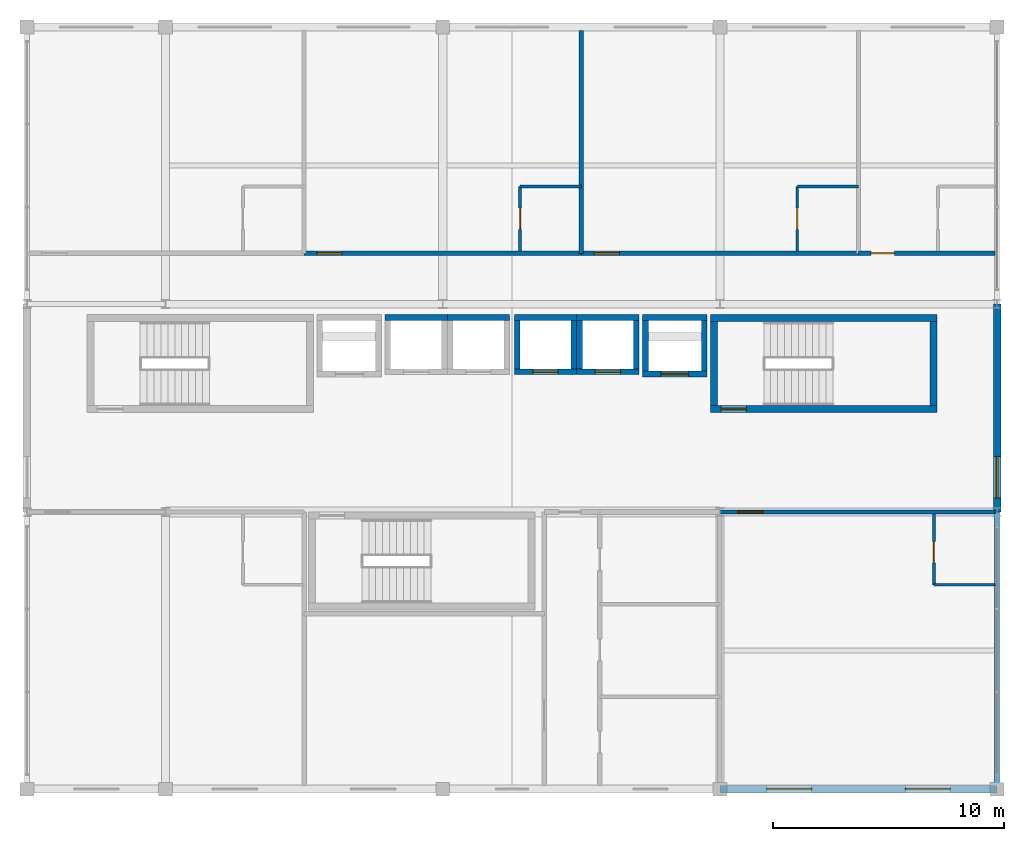
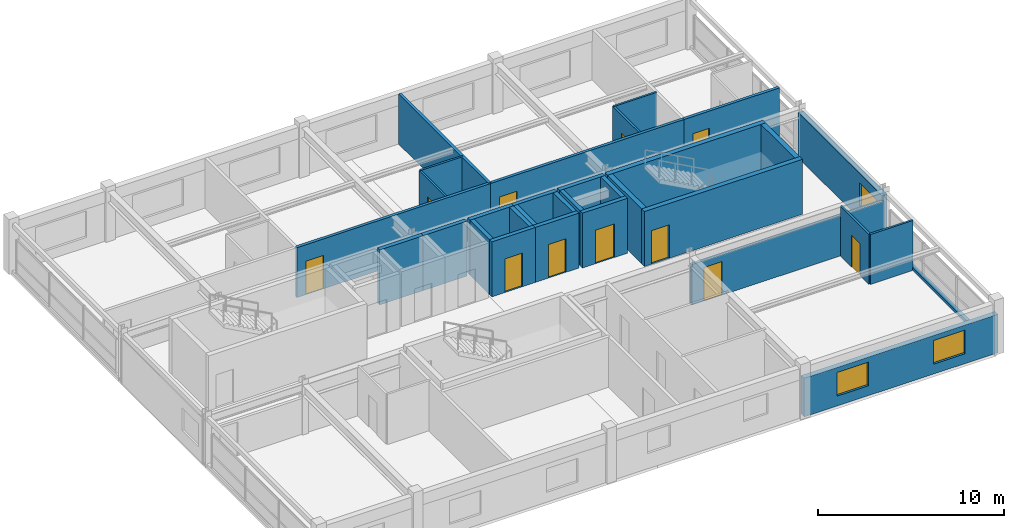
# One storey, part 20 of 22: 32 walls, 11 doors, 3 windows, 14 openings.
"""IFC4 building model written with IfcOpenShell, lengths in metres."""

from ifc_helpers import new_model, si_unit, direction, frame, frame_2d, origin, place, context, subcontext, project, spatial, rectangle, extrude, material, layer, layer_set, type_object, element, fill, save


model = new_model("IFC4")

# Units and contexts
model_context = context("Model", 3, precision=1e-05, world=origin(), true_north=direction((0.0, 1.0)))
body_context = subcontext(model_context, "Body", "Model", "MODEL_VIEW")
ifc_project = project(units=[si_unit("LENGTHUNIT", "METRE"), si_unit("AREAUNIT", "SQUARE_METRE"), si_unit("VOLUMEUNIT", "CUBIC_METRE"), si_unit("PLANEANGLEUNIT", "RADIAN"), si_unit("MASSUNIT", "GRAM", prefix="KILO")], contexts=[model_context])

# Site, building, storey
site_placement = place(None, origin())
site = spatial("IfcSite", under=ifc_project, at=site_placement, CompositionType="ELEMENT")
building_placement = place(site_placement, origin())
building = spatial("IfcBuilding", under=site, at=building_placement, Name="Kaldorvane Square Convention Centre", CompositionType="ELEMENT")
storey_placement = place(building_placement, frame((0.0, 0.0, 67.19999694824219)))
storey = spatial("IfcBuildingStorey", under=building, at=storey_placement, Name="L16", CompositionType="ELEMENT", Elevation=67.19999694824219)

# Wall, opening, door
ifc_material_1 = material(Name="Fire-Rated Gypsum Board on Acoustic Steel Studs", Category="steel")
ifc_layer_1 = layer(ifc_material_1, 0.125)
ifc_layer_set_1 = layer_set([ifc_layer_1], Name="Fire-Rated Gypsum Board on Acoustic Steel Studs")
wall_type_1 = type_object("IfcWallType", Name="WL-BATH-125", PredefinedType="PARTITIONING", material=ifc_layer_set_1)
wall_1_placement = place(storey_placement, frame((57.350006103515625, 107.28999328613281, 0.0), z_axis=(0.0, 0.0, 1.0), x_axis=(0.0, 1.0, 0.0)))
wall_1 = element("IfcWall", 1, at=wall_1_placement, inside=storey, type_object=wall_type_1, Name="En-Suite 1602 West Wall", PredefinedType="PARTITIONING", context=body_context, shape_type="SweptSolid", body=[
    extrude(rectangle(XDim=2.8100128173828125, YDim=0.125, at=frame_2d((1.404998779296875, 0.0))), origin(), (0.0, 0.0, 1.0), 3.279998779296875),
])
opening_1_placement = place(wall_1_placement, frame((0.9499969482421875, 0.0, 0.0)))
opening_1 = element("IfcOpeningElement", 2, at=opening_1_placement, cuts=wall_1, Name="Opening ID-12", PredefinedType="OPENING", context=body_context, shape_type="SweptSolid", body=[
    extrude(rectangle(XDim=0.9199981689453125, YDim=2.100006103515625, at=frame_2d((0.459991455078125, 1.0500030517578125))), frame((0.0, 0.0774993896484375, 0.0), z_axis=(0.0, -1.0, 0.0), x_axis=(1.0, 0.0, 0.0)), (0.0, 0.0, 1.0), 0.154998779296875),
])
ifc_material_2 = material(Name="Architectural Solid-Core White Oak")
door_type_1 = type_object("IfcDoorType", Name="DR-BATH-0920X2100", OperationType="SINGLE_SWING_RIGHT", PredefinedType="DOOR", material=ifc_material_2)
door_1_placement = place(opening_1_placement, origin())
door_1 = element("IfcDoor", 3, at=door_1_placement, inside=storey, type_object=door_type_1, Name="En-Suite Bathroom 1602 Door", OperationType="SINGLE_SWING_RIGHT", OverallHeight=2.100006103515625, OverallWidth=0.9199981689453125, PredefinedType="DOOR", context=body_context, shape_type="SweptSolid", body=[
    extrude(rectangle(XDim=0.9199981689453125, YDim=2.100006103515625, at=frame_2d((0.459991455078125, 1.0500030517578125))), frame((0.0, 0.024993896484375, 0.0), z_axis=(0.0, -1.0, 0.0), x_axis=(1.0, 0.0, 0.0)), (0.0, 0.0, 1.0), 0.0500030517578125),
])
fill(opening_1, door_1)

# Wall
wall_2_placement = place(storey_placement, frame((57.350006103515625, 110.10000610351562, 0.0), z_axis=(0.0, 0.0, 1.0), x_axis=(1.0, 0.0, 0.0)))
element("IfcWall", 4, at=wall_2_placement, inside=storey, type_object=wall_type_1, Name="En-Suite 1602 North Wall", PredefinedType="PARTITIONING", context=body_context, shape_type="SweptSolid", body=[
    extrude(rectangle(XDim=2.649993896484375, YDim=0.125, at=frame_2d((1.3249969482421875, 0.0))), origin(), (0.0, 0.0, 1.0), 3.279998779296875),
])

# Wall, opening, door
wall_3_placement = place(storey_placement, frame((69.35000610351562, 107.28999328613281, 0.0), z_axis=(0.0, 0.0, 1.0), x_axis=(0.0, 1.0, 0.0)))
wall_3 = element("IfcWall", 5, at=wall_3_placement, inside=storey, type_object=wall_type_1, Name="En-Suite 1603 West Wall", PredefinedType="PARTITIONING", context=body_context, shape_type="SweptSolid", body=[
    extrude(rectangle(XDim=2.8100128173828125, YDim=0.125, at=frame_2d((1.404998779296875, 0.0))), origin(), (0.0, 0.0, 1.0), 3.279998779296875),
])
opening_2_placement = place(wall_3_placement, frame((0.9499969482421875, 0.0, 0.0)))
opening_2 = element("IfcOpeningElement", 6, at=opening_2_placement, cuts=wall_3, Name="Opening ID-12", PredefinedType="OPENING", context=body_context, shape_type="SweptSolid", body=[
    extrude(rectangle(XDim=0.9199981689453125, YDim=2.100006103515625, at=frame_2d((0.459991455078125, 1.0500030517578125))), frame((0.0, 0.0774993896484375, 0.0), z_axis=(0.0, -1.0, 0.0), x_axis=(1.0, 0.0, 0.0)), (0.0, 0.0, 1.0), 0.154998779296875),
])
door_2_placement = place(opening_2_placement, origin())
door_2 = element("IfcDoor", 7, at=door_2_placement, inside=storey, type_object=door_type_1, Name="En-Suite Bathroom 1603 Door", OperationType="SINGLE_SWING_RIGHT", OverallHeight=2.100006103515625, OverallWidth=0.9199981689453125, PredefinedType="DOOR", context=body_context, shape_type="SweptSolid", body=[
    extrude(rectangle(XDim=0.9199981689453125, YDim=2.100006103515625, at=frame_2d((0.459991455078125, 1.0500030517578125))), frame((0.0, 0.024993896484375, 0.0), z_axis=(0.0, -1.0, 0.0), x_axis=(1.0, 0.0, 0.0)), (0.0, 0.0, 1.0), 0.0500030517578125),
])
fill(opening_2, door_2)

# Wall
wall_4_placement = place(storey_placement, frame((69.35000610351562, 110.10000610351562, 0.0), z_axis=(0.0, 0.0, 1.0), x_axis=(1.0, 0.0, 0.0)))
element("IfcWall", 8, at=wall_4_placement, inside=storey, type_object=wall_type_1, Name="En-Suite 1603 North Wall", PredefinedType="PARTITIONING", context=body_context, shape_type="SweptSolid", body=[
    extrude(rectangle(XDim=2.649993896484375, YDim=0.125, at=frame_2d((1.3249969482421875, 0.0))), origin(), (0.0, 0.0, 1.0), 3.279998779296875),
])

# Wall, opening, door
wall_5_placement = place(storey_placement, frame((75.26499938964844, 92.85000610351562, 0.0), z_axis=(0.0, 0.0, 1.0), x_axis=(0.0, 1.0, 0.0)))
wall_5 = element("IfcWall", 9, at=wall_5_placement, inside=storey, type_object=wall_type_1, Name="En-Suite 1606 West Wall", PredefinedType="PARTITIONING", context=body_context, shape_type="SweptSolid", body=[
    extrude(rectangle(XDim=3.05999755859375, YDim=0.125, at=frame_2d((1.529998779296875, 0.0))), origin(), (0.0, 0.0, 1.0), 3.279998779296875),
])
opening_3_placement = place(wall_5_placement, frame((0.9499969482421875, 0.0, 0.0)))
opening_3 = element("IfcOpeningElement", 10, at=opening_3_placement, cuts=wall_5, Name="Opening ID-12", PredefinedType="OPENING", context=body_context, shape_type="SweptSolid", body=[
    extrude(rectangle(XDim=0.9199981689453125, YDim=2.100006103515625, at=frame_2d((0.459991455078125, 1.0500030517578125))), frame((0.0, 0.0774993896484375, 0.0), z_axis=(0.0, -1.0, 0.0), x_axis=(1.0, 0.0, 0.0)), (0.0, 0.0, 1.0), 0.154998779296875),
])
door_3_placement = place(opening_3_placement, origin())
door_3 = element("IfcDoor", 11, at=door_3_placement, inside=storey, type_object=door_type_1, Name="En-Suite Bathroom 1606 Door", OperationType="SINGLE_SWING_RIGHT", OverallHeight=2.100006103515625, OverallWidth=0.9199981689453125, PredefinedType="DOOR", context=body_context, shape_type="SweptSolid", body=[
    extrude(rectangle(XDim=0.9199981689453125, YDim=2.100006103515625, at=frame_2d((0.459991455078125, 1.0500030517578125))), frame((0.0, 0.024993896484375, 0.0), z_axis=(0.0, -1.0, 0.0), x_axis=(1.0, 0.0, 0.0)), (0.0, 0.0, 1.0), 0.0500030517578125),
])
fill(opening_3, door_3)

# Wall
wall_6_placement = place(storey_placement, frame((75.26499938964844, 92.85000610351562, 0.0), z_axis=(0.0, 0.0, 1.0), x_axis=(1.0, 0.0, 0.0)))
element("IfcWall", 12, at=wall_6_placement, inside=storey, type_object=wall_type_1, Name="En-Suite 1606 South Wall", PredefinedType="PARTITIONING", context=body_context, shape_type="SweptSolid", body=[
    extrude(rectangle(XDim=2.649993896484375, YDim=0.125, at=frame_2d((1.3249969482421875, 0.0))), origin(), (0.0, 0.0, 1.0), 3.279998779296875),
])

# Wall, openings, windows
ifc_material_3 = material(Name="Concrete f'c = 35 MPa (Normalweight)", Category="concrete")
ifc_layer_2 = layer(ifc_material_3, 0.32000732421875)
ifc_layer_set_2 = layer_set([ifc_layer_2], Name="Concrete f'c = 35 MPa (Normalweight)")
wall_type_2 = type_object("IfcWallType", Name="WL-EXT-320", PredefinedType="STANDARD", material=ifc_layer_set_2)
wall_7_placement = place(storey_placement, frame((66.0, 84.0, 0.0), z_axis=(0.0, 0.0, 1.0), x_axis=(1.0, 0.0, 0.0)))
wall_7 = element("IfcWall", 13, at=wall_7_placement, inside=storey, type_object=wall_type_2, Name="Hotel S Brutalist Facade Wall (L16)", PredefinedType="STANDARD", context=body_context, shape_type="SweptSolid", body=[
    extrude(rectangle(XDim=12.0, YDim=0.32000732421875, at=frame_2d((6.0, 0.0))), origin(), (0.0, 0.0, 1.0), 2.5260009765625),
])
opening_4_placement = place(wall_7_placement, frame((2.024993896484375, 0.0, 0.649993896484375)))
opening_4 = element("IfcOpeningElement", 14, at=opening_4_placement, cuts=wall_7, Name="Opening W-12", PredefinedType="OPENING", context=body_context, shape_type="SweptSolid", body=[
    extrude(rectangle(XDim=1.9499969482421875, YDim=1.5500030517578125, at=frame_2d((0.975006103515625, 0.774993896484375))), frame((0.0, 0.1750030517578125, 0.0), z_axis=(0.0, -1.0, 0.0), x_axis=(1.0, 0.0, 0.0)), (0.0, 0.0, 1.0), 0.350006103515625),
])
opening_5_placement = place(wall_7_placement, frame((8.024993896484375, 0.0, 0.649993896484375)))
opening_5 = element("IfcOpeningElement", 15, at=opening_5_placement, cuts=wall_7, Name="Opening W-12", PredefinedType="OPENING", context=body_context, shape_type="SweptSolid", body=[
    extrude(rectangle(XDim=1.9499969482421875, YDim=1.5500030517578125, at=frame_2d((0.975006103515625, 0.774993896484375))), frame((0.0, 0.1750030517578125, 0.0), z_axis=(0.0, -1.0, 0.0), x_axis=(1.0, 0.0, 0.0)), (0.0, 0.0, 1.0), 0.350006103515625),
])
ifc_material_4 = material(Name="Anodized Aluminum and Low-E Insulated Glazing", Category="aluminium")
window_type_1 = type_object("IfcWindowType", Name="WN-HTL-1950X1550", PartitioningType="DOUBLE_PANEL_VERTICAL", PredefinedType="WINDOW", material=ifc_material_4)
window_1_placement = place(opening_4_placement, origin())
window_1 = element("IfcWindow", 16, at=window_1_placement, inside=storey, type_object=window_type_1, Name="Hotel S Window (L16)", OverallHeight=1.5500030517578125, OverallWidth=1.9499969482421875, PartitioningType="DOUBLE_PANEL_VERTICAL", PredefinedType="WINDOW", context=body_context, shape_type="SweptSolid", body=[
    extrude(rectangle(XDim=1.9499969482421875, YDim=1.5500030517578125, at=frame_2d((0.975006103515625, 0.774993896484375))), frame((0.0, 0.029998779296875, 0.0), z_axis=(0.0, -1.0, 0.0), x_axis=(1.0, 0.0, 0.0)), (0.0, 0.0, 1.0), 0.05999755859375),
])
fill(opening_4, window_1)
window_2_placement = place(opening_5_placement, origin())
window_2 = element("IfcWindow", 17, at=window_2_placement, inside=storey, type_object=window_type_1, Name="Hotel S Window (L16)", OverallHeight=1.5500030517578125, OverallWidth=1.9499969482421875, PartitioningType="DOUBLE_PANEL_VERTICAL", PredefinedType="WINDOW", context=body_context, shape_type="SweptSolid", body=[
    extrude(rectangle(XDim=1.9499969482421875, YDim=1.5500030517578125, at=frame_2d((0.975006103515625, 0.774993896484375))), frame((0.0, 0.029998779296875, 0.0), z_axis=(0.0, -1.0, 0.0), x_axis=(1.0, 0.0, 0.0)), (0.0, 0.0, 1.0), 0.05999755859375),
])
fill(opening_5, window_2)

# Wall, opening, window
wall_8_placement = place(storey_placement, frame((78.0, 96.0, 0.0), z_axis=(0.0, 0.0, 1.0), x_axis=(0.0, 1.0, 0.0)))
wall_8 = element("IfcWall", 18, at=wall_8_placement, inside=storey, type_object=wall_type_2, Name="Hotel E End Wall (L16)", PredefinedType="STANDARD", context=body_context, shape_type="SweptSolid", body=[
    extrude(rectangle(XDim=9.0, YDim=0.32000732421875, at=frame_2d((4.5, 0.0))), origin(), (0.0, 0.0, 1.0), 2.97100830078125),
])
opening_6_placement = place(wall_8_placement, frame((0.600006103515625, 0.0, 0.850006103515625)))
opening_6 = element("IfcOpeningElement", 19, at=opening_6_placement, cuts=wall_8, Name="Opening W-11", PredefinedType="OPENING", context=body_context, shape_type="SweptSolid", body=[
    extrude(rectangle(XDim=1.8000030517578125, YDim=1.5, at=frame_2d((0.899993896484375, 0.75))), frame((0.0, 0.1750030517578125, 0.0), z_axis=(0.0, -1.0, 0.0), x_axis=(1.0, 0.0, 0.0)), (0.0, 0.0, 1.0), 0.350006103515625),
])
window_type_2 = type_object("IfcWindowType", Name="WN-HTL-1800X1500", PartitioningType="SINGLE_PANEL", PredefinedType="WINDOW", material=ifc_material_4)
window_3_placement = place(opening_6_placement, origin())
window_3 = element("IfcWindow", 20, at=window_3_placement, inside=storey, type_object=window_type_2, Name="Hotel End Window E (L16)", OverallHeight=1.5, OverallWidth=1.8000030517578125, PartitioningType="SINGLE_PANEL", PredefinedType="WINDOW", context=body_context, shape_type="SweptSolid", body=[
    extrude(rectangle(XDim=1.8000030517578125, YDim=1.5, at=frame_2d((0.899993896484375, 0.75))), frame((0.0, 0.029998779296875, 0.0), z_axis=(0.0, -1.0, 0.0), x_axis=(1.0, 0.0, 0.0)), (0.0, 0.0, 1.0), 0.05999755859375),
])
fill(opening_6, window_3)

# Wall
ifc_layer_3 = layer(ifc_material_3, 0.220001220703125)
ifc_layer_set_3 = layer_set([ifc_layer_3], Name="Concrete f'c = 35 MPa (Normalweight)")
wall_type_3 = type_object("IfcWallType", Name="WL-PAR-220", PredefinedType="PARAPET", material=ifc_layer_set_3)
wall_9_placement = place(storey_placement, frame((78.0, 84.0, 0.0), z_axis=(0.0, 0.0, 1.0), x_axis=(0.0, 1.0, 0.0)))
element("IfcWall", 21, at=wall_9_placement, inside=storey, type_object=wall_type_3, Name="Hotel End Curtain-Wall Sill (L16)", PredefinedType="PARAPET", context=body_context, shape_type="SweptSolid", body=[
    extrude(rectangle(XDim=12.0, YDim=0.220001220703125, at=frame_2d((6.0, 0.0))), origin(), (0.0, 0.0, 1.0), 0.1999969482421875),
])

# Wall, opening, door
ifc_material_5 = material(Name="Concrete f'c = 55 MPa (Normalweight)", Category="concrete")
ifc_layer_4 = layer(ifc_material_5, 0.3000030517578125)
ifc_layer_set_4 = layer_set([ifc_layer_4], Name="Concrete f'c = 55 MPa (Normalweight)")
wall_type_4 = type_object("IfcWallType", Name="WL-SHAFT-300", PredefinedType="SHEAR", material=ifc_layer_set_4)
wall_10_placement = place(storey_placement, frame((65.60000610351562, 100.46000671386719, 0.0), z_axis=(0.0, 0.0, 1.0), x_axis=(1.0, 0.0, 0.0)))
wall_10 = element("IfcWall", 22, at=wall_10_placement, inside=storey, type_object=wall_type_4, Name="Core Enclosure Wall stair:ST-T2-S (L16)", PredefinedType="SHEAR", context=body_context, shape_type="SweptSolid", body=[
    extrude(rectangle(XDim=9.79998779296875, YDim=0.3000030517578125, at=frame_2d((4.899993896484375, 0.0))), origin(), (0.0, 0.0, 1.0), 3.600006103515625),
])
opening_7_placement = place(wall_10_placement, frame((0.4499969482421875, 0.0, 0.0)))
opening_7 = element("IfcOpeningElement", 23, at=opening_7_placement, cuts=wall_10, Name="Opening FD90-S1", PredefinedType="OPENING", context=body_context, shape_type="SweptSolid", body=[
    extrude(rectangle(XDim=1.100006103515625, YDim=2.1999969482421875, at=frame_2d((0.5500030517578125, 1.100006103515625))), frame((0.0, 0.165008544921875, 0.0), z_axis=(0.0, -1.0, 0.0), x_axis=(1.0, 0.0, 0.0)), (0.0, 0.0, 1.0), 0.3300018310546875),
])
ifc_material_6 = material(Name="Fire-Rated Hollow Metal Steel", Category="steel")
door_type_2 = type_object("IfcDoorType", Name="DR-STAIR-1100", OperationType="SINGLE_SWING_RIGHT", PredefinedType="DOOR", material=ifc_material_6)
door_4_placement = place(opening_7_placement, origin())
door_4 = element("IfcDoor", 24, at=door_4_placement, inside=storey, type_object=door_type_2, Name="Tower Exit Stair T2 Fire Door (L16)", OperationType="SINGLE_SWING_RIGHT", OverallHeight=2.1999969482421875, OverallWidth=1.100006103515625, PredefinedType="DOOR", context=body_context, shape_type="SweptSolid", body=[
    extrude(rectangle(XDim=1.100006103515625, YDim=2.1999969482421875, at=frame_2d((0.5500030517578125, 1.100006103515625))), frame((0.0, 0.024993896484375, 0.0), z_axis=(0.0, -1.0, 0.0), x_axis=(1.0, 0.0, 0.0)), (0.0, 0.0, 1.0), 0.0500030517578125),
])
fill(opening_7, door_4)

# Walls
wall_11_placement = place(storey_placement, frame((75.39999389648438, 104.39999389648438, 0.0), z_axis=(0.0, 0.0, 1.0), x_axis=(-1.0, 0.0, 0.0)))
element("IfcWall", 25, at=wall_11_placement, inside=storey, type_object=wall_type_4, Name="Core Enclosure Wall stair:ST-T2-N (L16)", PredefinedType="SHEAR", context=body_context, shape_type="SweptSolid", body=[
    extrude(rectangle(XDim=9.79998779296875, YDim=0.3000030517578125, at=frame_2d((4.899993896484375, 0.0))), origin(), (0.0, 0.0, 1.0), 3.600006103515625),
])
for number, where, z_axis, x_axis, name in (
    (26, (65.75, 104.25, 0.0), (0.0, 0.0, 1.0), (0.0, -1.0, 0.0), "Core Enclosure Wall stair:ST-T2-W (L16)"),
    (27, (75.25, 100.61000061035156, 0.0), (0.0, 0.0, 1.0), (0.0, 1.0, 0.0), "Core Enclosure Wall stair:ST-T2-E (L16)"),
):
    element("IfcWall", number, at=place(storey_placement, frame(where, z_axis=z_axis, x_axis=x_axis)), inside=storey, type_object=wall_type_4, Name=name, PredefinedType="SHEAR", context=body_context, shape_type="SweptSolid", body=[
        extrude(rectangle(XDim=3.6399993896484375, YDim=0.3000030517578125, at=frame_2d((1.82000732421875, 0.0))), origin(), (0.0, 0.0, 1.0), 3.600006103515625),
    ])

# Wall, opening, door
wall_12_placement = place(storey_placement, frame((62.649993896484375, 101.97500610351562, 0.0), z_axis=(0.0, 0.0, 1.0), x_axis=(1.0, 0.0, 0.0)))
wall_12 = element("IfcWall", 28, at=wall_12_placement, inside=storey, type_object=wall_type_4, Name="Core Enclosure Wall lift:FSAE-02-S (L16)", PredefinedType="SHEAR", context=body_context, shape_type="SweptSolid", body=[
    extrude(rectangle(XDim=2.8000030517578125, YDim=0.25, at=frame_2d((1.399993896484375, 0.0))), origin(), (0.0, 0.0, 1.0), 3.600006103515625),
])
opening_8_placement = place(wall_12_placement, frame((0.8000030517578125, 0.0, 0.0)))
opening_8 = element("IfcOpeningElement", 29, at=opening_8_placement, cuts=wall_12, Name="Opening LD-02", PredefinedType="OPENING", context=body_context, shape_type="SweptSolid", body=[
    extrude(rectangle(XDim=1.1999969482421875, YDim=2.1999969482421875, at=frame_2d((0.600006103515625, 1.100006103515625))), frame((0.0, 0.1399993896484375, 0.0), z_axis=(0.0, -1.0, 0.0), x_axis=(1.0, 0.0, 0.0)), (0.0, 0.0, 1.0), 0.279998779296875),
])
ifc_material_7 = material(Name="Stainless Steel Elevator Door Assembly", Category="steel")
door_type_3 = type_object("IfcDoorType", Name="DR-LIFT-1200", OperationType="DOUBLE_DOOR_SLIDING", PredefinedType="DOOR", material=ifc_material_7)
door_5_placement = place(opening_8_placement, origin())
door_5 = element("IfcDoor", 30, at=door_5_placement, inside=storey, type_object=door_type_3, Name="Elevator Landing Door FSAE-02 (L16)", OperationType="DOUBLE_DOOR_SLIDING", OverallHeight=2.1999969482421875, OverallWidth=1.1999969482421875, PredefinedType="DOOR", context=body_context, shape_type="SweptSolid", body=[
    extrude(rectangle(XDim=1.1999969482421875, YDim=2.1999969482421875, at=frame_2d((0.600006103515625, 1.100006103515625))), frame((0.0, 0.024993896484375, 0.0), z_axis=(0.0, -1.0, 0.0), x_axis=(1.0, 0.0, 0.0)), (0.0, 0.0, 1.0), 0.0500030517578125),
])
fill(opening_8, door_5)

# Walls
wall_13_placement = place(storey_placement, frame((65.44999694824219, 104.42500305175781, 0.0), z_axis=(0.0, 0.0, 1.0), x_axis=(-1.0, 0.0, 0.0)))
element("IfcWall", 31, at=wall_13_placement, inside=storey, type_object=wall_type_4, Name="Core Enclosure Wall lift:FSAE-02-N (L16)", PredefinedType="SHEAR", context=body_context, shape_type="SweptSolid", body=[
    extrude(rectangle(XDim=2.8000030517578125, YDim=0.25, at=frame_2d((1.399993896484375, 0.0))), origin(), (0.0, 0.0, 1.0), 3.600006103515625),
])
for number, where, z_axis, x_axis, name in (
    (32, (62.774993896484375, 104.30000305175781, 0.0), (0.0, 0.0, 1.0), (0.0, -1.0, 0.0), "Core Enclosure Wall lift:FSAE-02-W (L16)"),
    (33, (65.32499694824219, 102.10000610351562, 0.0), (0.0, 0.0, 1.0), (0.0, 1.0, 0.0), "Core Enclosure Wall lift:FSAE-02-E (L16)"),
):
    element("IfcWall", number, at=place(storey_placement, frame(where, z_axis=z_axis, x_axis=x_axis)), inside=storey, type_object=wall_type_4, Name=name, PredefinedType="SHEAR", context=body_context, shape_type="SweptSolid", body=[
        extrude(rectangle(XDim=2.1999969482421875, YDim=0.25, at=frame_2d((1.100006103515625, 0.0))), origin(), (0.0, 0.0, 1.0), 3.600006103515625),
    ])
for number, where, z_axis, x_axis, name in (
    (34, (54.19999694824219, 104.42500305175781, 0.0), (0.0, 0.0, 1.0), (-1.0, 0.0, 0.0), "Core Enclosure Wall lift:EL-P1-N (L16)"),
    (35, (56.899993896484375, 104.42500305175781, 0.0), (0.0, 0.0, 1.0), (-1.0, 0.0, 0.0), "Core Enclosure Wall lift:EL-P2-N (L16)"),
):
    element("IfcWall", number, at=place(storey_placement, frame(where, z_axis=z_axis, x_axis=x_axis)), inside=storey, type_object=wall_type_4, Name=name, PredefinedType="SHEAR", context=body_context, shape_type="SweptSolid", body=[
        extrude(rectangle(XDim=2.6999969482421875, YDim=0.25, at=frame_2d((1.350006103515625, 0.0))), origin(), (0.0, 0.0, 1.0), 3.600006103515625),
    ])

# Wall, opening, door
wall_14_placement = place(storey_placement, frame((57.100006103515625, 102.07499694824219, 0.0), z_axis=(0.0, 0.0, 1.0), x_axis=(1.0, 0.0, 0.0)))
wall_14 = element("IfcWall", 36, at=wall_14_placement, inside=storey, type_object=wall_type_4, Name="Core Enclosure Wall lift:EL-P3-S (L16)", PredefinedType="SHEAR", context=body_context, shape_type="SweptSolid", body=[
    extrude(rectangle(XDim=2.6999969482421875, YDim=0.25, at=frame_2d((1.350006103515625, 0.0))), origin(), (0.0, 0.0, 1.0), 3.600006103515625),
])
opening_9_placement = place(wall_14_placement, frame((0.8000030517578125, 0.0, 0.0)))
opening_9 = element("IfcOpeningElement", 37, at=opening_9_placement, cuts=wall_14, Name="Opening LD-01", PredefinedType="OPENING", context=body_context, shape_type="SweptSolid", body=[
    extrude(rectangle(XDim=1.100006103515625, YDim=2.1999969482421875, at=frame_2d((0.5500030517578125, 1.100006103515625))), frame((0.0, 0.1399993896484375, 0.0), z_axis=(0.0, -1.0, 0.0), x_axis=(1.0, 0.0, 0.0)), (0.0, 0.0, 1.0), 0.279998779296875),
])
door_type_4 = type_object("IfcDoorType", Name="DR-LIFT-1100", OperationType="DOUBLE_DOOR_SLIDING", PredefinedType="DOOR", material=ifc_material_7)
door_6_placement = place(opening_9_placement, origin())
door_6 = element("IfcDoor", 38, at=door_6_placement, inside=storey, type_object=door_type_4, Name="Elevator Landing Door EL-P3 (L16)", OperationType="DOUBLE_DOOR_SLIDING", OverallHeight=2.1999969482421875, OverallWidth=1.100006103515625, PredefinedType="DOOR", context=body_context, shape_type="SweptSolid", body=[
    extrude(rectangle(XDim=1.100006103515625, YDim=2.1999969482421875, at=frame_2d((0.5500030517578125, 1.100006103515625))), frame((0.0, 0.024993896484375, 0.0), z_axis=(0.0, -1.0, 0.0), x_axis=(1.0, 0.0, 0.0)), (0.0, 0.0, 1.0), 0.0500030517578125),
])
fill(opening_9, door_6)

# Walls
wall_15_placement = place(storey_placement, frame((59.80000305175781, 104.42500305175781, 0.0), z_axis=(0.0, 0.0, 1.0), x_axis=(-1.0, 0.0, 0.0)))
element("IfcWall", 39, at=wall_15_placement, inside=storey, type_object=wall_type_4, Name="Core Enclosure Wall lift:EL-P3-N (L16)", PredefinedType="SHEAR", context=body_context, shape_type="SweptSolid", body=[
    extrude(rectangle(XDim=2.6999969482421875, YDim=0.25, at=frame_2d((1.350006103515625, 0.0))), origin(), (0.0, 0.0, 1.0), 3.600006103515625),
])
for number, where, z_axis, x_axis, name in (
    (40, (57.225006103515625, 104.30000305175781, 0.0), (0.0, 0.0, 1.0), (0.0, -1.0, 0.0), "Core Enclosure Wall lift:EL-P3-W (L16)"),
    (41, (59.67500305175781, 102.19999694824219, 0.0), (0.0, 0.0, 1.0), (0.0, 1.0, 0.0), "Core Enclosure Wall lift:EL-P3-E (L16)"),
):
    element("IfcWall", number, at=place(storey_placement, frame(where, z_axis=z_axis, x_axis=x_axis)), inside=storey, type_object=wall_type_4, Name=name, PredefinedType="SHEAR", context=body_context, shape_type="SweptSolid", body=[
        extrude(rectangle(XDim=2.100006103515625, YDim=0.25, at=frame_2d((1.0500030517578125, 0.0))), origin(), (0.0, 0.0, 1.0), 3.600006103515625),
    ])

# Wall, opening, door
wall_16_placement = place(storey_placement, frame((59.80000305175781, 102.07499694824219, 0.0), z_axis=(0.0, 0.0, 1.0), x_axis=(1.0, 0.0, 0.0)))
wall_16 = element("IfcWall", 42, at=wall_16_placement, inside=storey, type_object=wall_type_4, Name="Core Enclosure Wall lift:EL-P4-S (L16)", PredefinedType="SHEAR", context=body_context, shape_type="SweptSolid", body=[
    extrude(rectangle(XDim=2.6999969482421875, YDim=0.25, at=frame_2d((1.350006103515625, 0.0))), origin(), (0.0, 0.0, 1.0), 3.600006103515625),
])
opening_10_placement = place(wall_16_placement, frame((0.8000030517578125, 0.0, 0.0)))
opening_10 = element("IfcOpeningElement", 43, at=opening_10_placement, cuts=wall_16, Name="Opening LD-01", PredefinedType="OPENING", context=body_context, shape_type="SweptSolid", body=[
    extrude(rectangle(XDim=1.100006103515625, YDim=2.1999969482421875, at=frame_2d((0.5500030517578125, 1.100006103515625))), frame((0.0, 0.1399993896484375, 0.0), z_axis=(0.0, -1.0, 0.0), x_axis=(1.0, 0.0, 0.0)), (0.0, 0.0, 1.0), 0.279998779296875),
])
door_7_placement = place(opening_10_placement, origin())
door_7 = element("IfcDoor", 44, at=door_7_placement, inside=storey, type_object=door_type_4, Name="Elevator Landing Door EL-P4 (L16)", OperationType="DOUBLE_DOOR_SLIDING", OverallHeight=2.1999969482421875, OverallWidth=1.100006103515625, PredefinedType="DOOR", context=body_context, shape_type="SweptSolid", body=[
    extrude(rectangle(XDim=1.100006103515625, YDim=2.1999969482421875, at=frame_2d((0.5500030517578125, 1.100006103515625))), frame((0.0, 0.024993896484375, 0.0), z_axis=(0.0, -1.0, 0.0), x_axis=(1.0, 0.0, 0.0)), (0.0, 0.0, 1.0), 0.0500030517578125),
])
fill(opening_10, door_7)

# Walls
wall_17_placement = place(storey_placement, frame((62.5, 104.42500305175781, 0.0), z_axis=(0.0, 0.0, 1.0), x_axis=(-1.0, 0.0, 0.0)))
element("IfcWall", 45, at=wall_17_placement, inside=storey, type_object=wall_type_4, Name="Core Enclosure Wall lift:EL-P4-N (L16)", PredefinedType="SHEAR", context=body_context, shape_type="SweptSolid", body=[
    extrude(rectangle(XDim=2.6999969482421875, YDim=0.25, at=frame_2d((1.350006103515625, 0.0))), origin(), (0.0, 0.0, 1.0), 3.600006103515625),
])
for number, where, z_axis, x_axis, name in (
    (46, (59.92500305175781, 104.30000305175781, 0.0), (0.0, 0.0, 1.0), (0.0, -1.0, 0.0), "Core Enclosure Wall lift:EL-P4-W (L16)"),
    (47, (62.375, 102.19999694824219, 0.0), (0.0, 0.0, 1.0), (0.0, 1.0, 0.0), "Core Enclosure Wall lift:EL-P4-E (L16)"),
):
    element("IfcWall", number, at=place(storey_placement, frame(where, z_axis=z_axis, x_axis=x_axis)), inside=storey, type_object=wall_type_4, Name=name, PredefinedType="SHEAR", context=body_context, shape_type="SweptSolid", body=[
        extrude(rectangle(XDim=2.100006103515625, YDim=0.25, at=frame_2d((1.0500030517578125, 0.0))), origin(), (0.0, 0.0, 1.0), 3.600006103515625),
    ])

# Wall, opening, door
ifc_layer_5 = layer(ifc_material_1, 0.17999267578125)
ifc_layer_set_5 = layer_set([ifc_layer_5], Name="Fire-Rated Gypsum Board on Acoustic Steel Studs")
wall_type_5 = type_object("IfcWallType", Name="WL-UNIT-180", PredefinedType="PARTITIONING", material=ifc_layer_set_5)
wall_18_placement = place(storey_placement, frame((48.0, 107.19999694824219, 0.0), z_axis=(0.0, 0.0, 1.0), x_axis=(1.0, 0.0, 0.0)))
wall_18 = element("IfcWall", 48, at=wall_18_placement, inside=storey, type_object=wall_type_5, Name="Presidential Suite 1602 Corridor Wall", PredefinedType="PARTITIONING", context=body_context, shape_type="SweptSolid", body=[
    extrude(rectangle(XDim=12.0, YDim=0.17999267578125, at=frame_2d((6.0, 0.0))), origin(), (0.0, 0.0, 1.0), 3.279998779296875),
])
opening_11_placement = place(wall_18_placement, frame((0.5500030517578125, 0.0, 0.0)))
opening_11 = element("IfcOpeningElement", 49, at=opening_11_placement, cuts=wall_18, Name="Opening ID-11", PredefinedType="OPENING", context=body_context, shape_type="SweptSolid", body=[
    extrude(rectangle(XDim=1.100006103515625, YDim=2.1999969482421875, at=frame_2d((0.5500030517578125, 1.100006103515625))), frame((0.0, 0.1049957275390625, 0.0), z_axis=(0.0, -1.0, 0.0), x_axis=(1.0, 0.0, 0.0)), (0.0, 0.0, 1.0), 0.209991455078125),
])
door_type_5 = type_object("IfcDoorType", Name="DR-SUITE-1100X2200", OperationType="SINGLE_SWING_LEFT", PredefinedType="DOOR", material=ifc_material_2)
door_8_placement = place(opening_11_placement, origin())
door_8 = element("IfcDoor", 50, at=door_8_placement, inside=storey, type_object=door_type_5, Name="Presidential Suite 1602 Entry Door", OperationType="SINGLE_SWING_LEFT", OverallHeight=2.1999969482421875, OverallWidth=1.100006103515625, PredefinedType="DOOR", context=body_context, shape_type="SweptSolid", body=[
    extrude(rectangle(XDim=1.100006103515625, YDim=2.1999969482421875, at=frame_2d((0.5500030517578125, 1.100006103515625))), frame((0.0, 0.024993896484375, 0.0), z_axis=(0.0, -1.0, 0.0), x_axis=(1.0, 0.0, 0.0)), (0.0, 0.0, 1.0), 0.0500030517578125),
])
fill(opening_11, door_8)

# Wall
wall_19_placement = place(storey_placement, frame((60.0, 107.19999694824219, 0.0), z_axis=(0.0, 0.0, 1.0), x_axis=(0.0, 1.0, 0.0)))
element("IfcWall", 51, at=wall_19_placement, inside=storey, type_object=wall_type_5, Name="Guestroom Demising Wall 1602", PredefinedType="PARTITIONING", context=body_context, shape_type="SweptSolid", body=[
    extrude(rectangle(XDim=9.639999389648438, YDim=0.17999267578125, at=frame_2d((4.82000732421875, 0.0))), origin(), (0.0, 0.0, 1.0), 3.279998779296875),
])

# Wall, opening, door
wall_20_placement = place(storey_placement, frame((60.0, 107.19999694824219, 0.0), z_axis=(0.0, 0.0, 1.0), x_axis=(1.0, 0.0, 0.0)))
wall_20 = element("IfcWall", 52, at=wall_20_placement, inside=storey, type_object=wall_type_5, Name="Presidential Suite 1603 Corridor Wall", PredefinedType="PARTITIONING", context=body_context, shape_type="SweptSolid", body=[
    extrude(rectangle(XDim=12.0, YDim=0.17999267578125, at=frame_2d((6.0, 0.0))), origin(), (0.0, 0.0, 1.0), 3.279998779296875),
])
opening_12_placement = place(wall_20_placement, frame((0.5500030517578125, 0.0, 0.0)))
opening_12 = element("IfcOpeningElement", 53, at=opening_12_placement, cuts=wall_20, Name="Opening ID-11", PredefinedType="OPENING", context=body_context, shape_type="SweptSolid", body=[
    extrude(rectangle(XDim=1.100006103515625, YDim=2.1999969482421875, at=frame_2d((0.5500030517578125, 1.100006103515625))), frame((0.0, 0.1049957275390625, 0.0), z_axis=(0.0, -1.0, 0.0), x_axis=(1.0, 0.0, 0.0)), (0.0, 0.0, 1.0), 0.209991455078125),
])
door_9_placement = place(opening_12_placement, origin())
door_9 = element("IfcDoor", 54, at=door_9_placement, inside=storey, type_object=door_type_5, Name="Presidential Suite 1603 Entry Door", OperationType="SINGLE_SWING_LEFT", OverallHeight=2.1999969482421875, OverallWidth=1.100006103515625, PredefinedType="DOOR", context=body_context, shape_type="SweptSolid", body=[
    extrude(rectangle(XDim=1.100006103515625, YDim=2.1999969482421875, at=frame_2d((0.5500030517578125, 1.100006103515625))), frame((0.0, 0.024993896484375, 0.0), z_axis=(0.0, -1.0, 0.0), x_axis=(1.0, 0.0, 0.0)), (0.0, 0.0, 1.0), 0.0500030517578125),
])
fill(opening_12, door_9)

wall_21_placement = place(storey_placement, frame((72.0, 107.19999694824219, 0.0), z_axis=(0.0, 0.0, 1.0), x_axis=(1.0, 0.0, 0.0)))
wall_21 = element("IfcWall", 55, at=wall_21_placement, inside=storey, type_object=wall_type_5, Name="Hotel Guest Room 1604 Corridor Wall", PredefinedType="PARTITIONING", context=body_context, shape_type="SweptSolid", body=[
    extrude(rectangle(XDim=5.9149932861328125, YDim=0.17999267578125, at=frame_2d((2.957489013671875, 0.0))), origin(), (0.0, 0.0, 1.0), 3.279998779296875),
])
opening_13_placement = place(wall_21_placement, frame((0.5500030517578125, 0.0, 0.0)))
opening_13 = element("IfcOpeningElement", 56, at=opening_13_placement, cuts=wall_21, Name="Opening ID-10", PredefinedType="OPENING", context=body_context, shape_type="SweptSolid", body=[
    extrude(rectangle(XDim=1.0, YDim=2.149993896484375, at=frame_2d((0.5, 1.0749969482421875))), frame((0.0, 0.1049957275390625, 0.0), z_axis=(0.0, -1.0, 0.0), x_axis=(1.0, 0.0, 0.0)), (0.0, 0.0, 1.0), 0.209991455078125),
])
door_type_6 = type_object("IfcDoorType", Name="DR-GUEST-1000X2150", OperationType="SINGLE_SWING_LEFT", PredefinedType="DOOR", material=ifc_material_2)
door_10_placement = place(opening_13_placement, origin())
door_10 = element("IfcDoor", 57, at=door_10_placement, inside=storey, type_object=door_type_6, Name="Hotel Guest Room 1604 Entry Door", OperationType="SINGLE_SWING_LEFT", OverallHeight=2.149993896484375, OverallWidth=1.0, PredefinedType="DOOR", context=body_context, shape_type="SweptSolid", body=[
    extrude(rectangle(XDim=1.0, YDim=2.149993896484375, at=frame_2d((0.5, 1.0749969482421875))), frame((0.0, 0.024993896484375, 0.0), z_axis=(0.0, -1.0, 0.0), x_axis=(1.0, 0.0, 0.0)), (0.0, 0.0, 1.0), 0.0500030517578125),
])
fill(opening_13, door_10)

wall_22_placement = place(storey_placement, frame((66.0, 96.0, 0.0), z_axis=(0.0, 0.0, 1.0), x_axis=(1.0, 0.0, 0.0)))
wall_22 = element("IfcWall", 58, at=wall_22_placement, inside=storey, type_object=wall_type_5, Name="Presidential Suite 1606 Corridor Wall", PredefinedType="PARTITIONING", context=body_context, shape_type="SweptSolid", body=[
    extrude(rectangle(XDim=11.914993286132812, YDim=0.17999267578125, at=frame_2d((5.957489013671875, 0.0))), origin(), (0.0, 0.0, 1.0), 2.6540069580078125),
])
opening_14_placement = place(wall_22_placement, frame((0.7700042724609375, 0.0, 0.0)))
opening_14 = element("IfcOpeningElement", 59, at=opening_14_placement, cuts=wall_22, Name="Opening ID-11", PredefinedType="OPENING", context=body_context, shape_type="SweptSolid", body=[
    extrude(rectangle(XDim=1.100006103515625, YDim=2.1999969482421875, at=frame_2d((0.5500030517578125, 1.100006103515625))), frame((0.0, 0.1049957275390625, 0.0), z_axis=(0.0, -1.0, 0.0), x_axis=(1.0, 0.0, 0.0)), (0.0, 0.0, 1.0), 0.209991455078125),
])
door_11_placement = place(opening_14_placement, origin())
door_11 = element("IfcDoor", 60, at=door_11_placement, inside=storey, type_object=door_type_5, Name="Presidential Suite 1606 Entry Door", OperationType="SINGLE_SWING_LEFT", OverallHeight=2.1999969482421875, OverallWidth=1.100006103515625, PredefinedType="DOOR", context=body_context, shape_type="SweptSolid", body=[
    extrude(rectangle(XDim=1.100006103515625, YDim=2.1999969482421875, at=frame_2d((0.5500030517578125, 1.100006103515625))), frame((0.0, 0.024993896484375, 0.0), z_axis=(0.0, -1.0, 0.0), x_axis=(1.0, 0.0, 0.0)), (0.0, 0.0, 1.0), 0.0500030517578125),
])
fill(opening_14, door_11)

save(model, "model.ifc")
